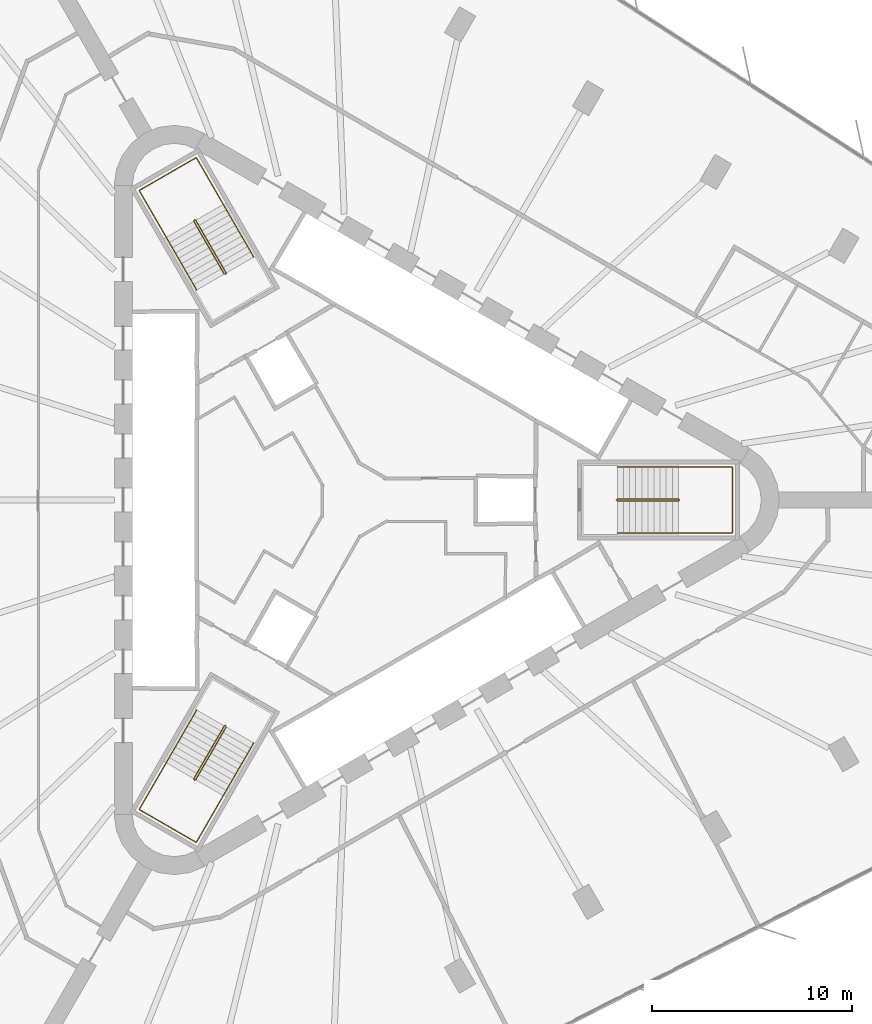
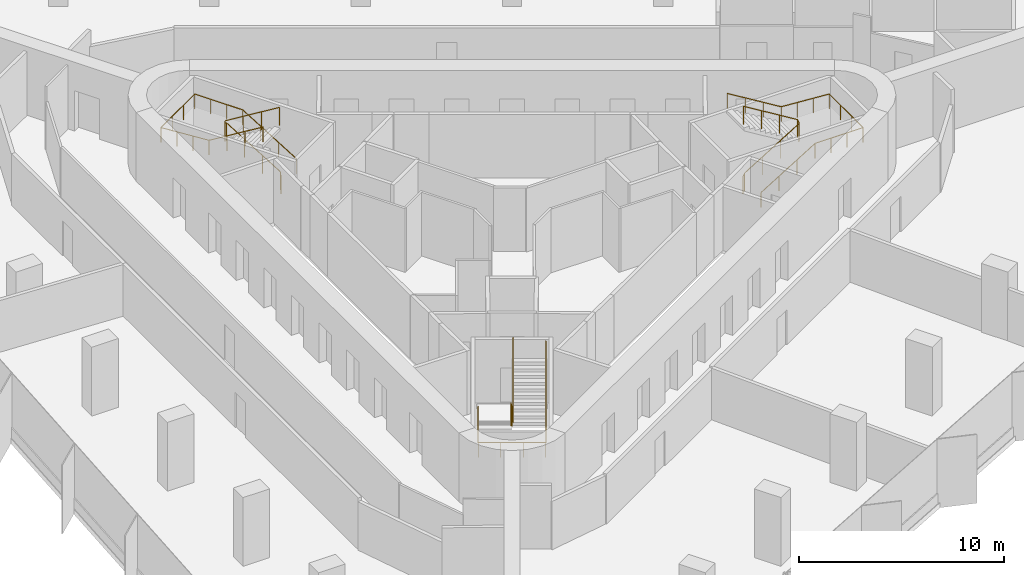
# One storey, part 14 of 14: 6 railings.
"""IFC4 building model written with IfcOpenShell, lengths in metres."""

from ifc_helpers import new_model, si_unit, direction, frame, origin, origin_2d, place, context, subcontext, project, spatial, circle, extrude, material, type_object, element, save


model = new_model("IFC4")

# Units and contexts
model_context = context("Model", 3, precision=1e-05, world=origin(), true_north=direction((0.0, 1.0)))
body_context = subcontext(model_context, "Body", "Model", "MODEL_VIEW")
ifc_project = project(units=[si_unit("LENGTHUNIT", "METRE"), si_unit("AREAUNIT", "SQUARE_METRE"), si_unit("VOLUMEUNIT", "CUBIC_METRE"), si_unit("PLANEANGLEUNIT", "RADIAN"), si_unit("MASSUNIT", "GRAM", prefix="KILO")], contexts=[model_context])

# Site, building, storey
site_placement = place(None, origin())
site = spatial("IfcSite", under=ifc_project, at=site_placement, CompositionType="ELEMENT")
building_placement = place(site_placement, origin())
building = spatial("IfcBuilding", under=site, at=building_placement, Name="Tanit Gate Tower", CompositionType="ELEMENT")
storey_placement = place(building_placement, frame((0.0, 0.0, 70.10009765625)))
storey = spatial("IfcBuildingStorey", under=building, at=storey_placement, Name="L13", CompositionType="ELEMENT", Elevation=70.10009765625)

# Railings
ifc_material_1 = material(Name="Stainless steel balustrade", Category="steel")
railing_type_1 = type_object("IfcRailingType", Name="INT-STAIR-GUARD", PredefinedType="GUARDRAIL", material=ifc_material_1)
railing_1_placement = place(storey_placement, frame((13.044921875, 0.0048828125, 0.0)))
element("IfcRailing", 1, at=railing_1_placement, inside=storey, type_object=railing_type_1, Name="L13 S1 stair guard 1", PredefinedType="GUARDRAIL", context=body_context, shape_type="SweptSolid", body=[
    extrude(circle(Radius=0.02392578125, at=origin_2d()), frame((0.0, 0.0, 1.076171875), z_axis=(0.0, -1.0, 0.0), x_axis=(1.0, 0.0, 0.0)), (0.0, 0.0, 1.0), 0.009765625),
    extrude(circle(Radius=0.02392578125, at=origin_2d()), frame((0.0, -0.009765625, 1.076171875), z_axis=(0.251157038772, -0.251157038772, 0.934794246747), x_axis=(0.707106781187, 0.707106781187, 0.0)), (0.0, 0.0, 1.0), 0.19921875),
    extrude(circle(Radius=0.02392578125, at=origin_2d()), frame((0.050048828125, -0.059814453125, 1.26220703125), z_axis=(0.853405036568, 0.0, 0.521248351134), x_axis=(0.0, 1.0, 0.0)), (0.0, 0.0, 1.0), 3.5751953125),
    extrude(circle(Radius=0.02392578125, at=origin_2d()), frame((3.10107421875, -0.059814453125, 3.1259765625), z_axis=(0.707106781187, 0.707106781187, 0.0), x_axis=(-0.707106781187, 0.707106781187, 0.0)), (0.0, 0.0, 1.0), 0.07080078125),
    extrude(circle(Radius=0.02392578125, at=origin_2d()), frame((3.151123046875, -0.009765625, 3.1259765625), z_axis=(0.0, 1.0, 0.0), x_axis=(-1.0, 0.0, 0.0)), (0.0, 0.0, 1.0), 0.009765625),
    extrude(circle(Radius=0.02392578125, at=origin_2d()), frame((3.151123046875, 0.0, 3.1259765625), z_axis=(-0.250869701741, 0.250869701741, 0.934948546978), x_axis=(-0.707106781187, -0.707106781187, 0.0)), (0.0, 0.0, 1.0), 0.199462890625),
    extrude(circle(Radius=0.02392578125, at=origin_2d()), frame((3.10107421875, 0.050048828125, 3.3125), z_axis=(-0.853405036568, 0.0, 0.521248351134), x_axis=(0.0, -1.0, 0.0)), (0.0, 0.0, 1.0), 3.5751953125),
    extrude(circle(Radius=0.02099609375, at=origin_2d()), origin(), (0.0, 0.0, 1.0), 1.052001953125),
    extrude(circle(Radius=0.02099609375, at=origin_2d()), frame((0.0, -0.009765625, 0.0)), (0.0, 0.0, 1.0), 1.052001953125),
    extrude(circle(Radius=0.02099609375, at=origin_2d()), frame((0.050048828125, -0.059814453125, 0.186279296875)), (0.0, 0.0, 1.0), 1.052001953125),
    extrude(circle(Radius=0.02099609375, at=origin_2d()), frame((1.067138671875, -0.059814453125, 0.807373046875)), (0.0, 0.0, 1.0), 1.052001953125),
    extrude(circle(Radius=0.02099609375, at=origin_2d()), frame((2.083984375, -0.059814453125, 1.4287109375)), (0.0, 0.0, 1.0), 1.052001953125),
    extrude(circle(Radius=0.02099609375, at=origin_2d()), frame((3.10107421875, -0.059814453125, 2.0498046875)), (0.0, 0.0, 1.0), 1.052001953125),
    extrude(circle(Radius=0.02099609375, at=origin_2d()), frame((3.151123046875, -0.009765625, 2.0498046875)), (0.0, 0.0, 1.0), 1.052001953125),
    extrude(circle(Radius=0.02099609375, at=origin_2d()), frame((3.151123046875, 0.0, 2.0498046875)), (0.0, 0.0, 1.0), 1.052001953125),
    extrude(circle(Radius=0.02099609375, at=origin_2d()), frame((3.10107421875, 0.050048828125, 2.236328125)), (0.0, 0.0, 1.0), 1.052001953125),
    extrude(circle(Radius=0.02099609375, at=origin_2d()), frame((2.083984375, 0.050048828125, 2.857421875)), (0.0, 0.0, 1.0), 1.052001953125),
    extrude(circle(Radius=0.02099609375, at=origin_2d()), frame((1.067138671875, 0.050048828125, 3.478759765625)), (0.0, 0.0, 1.0), 1.052001953125),
    extrude(circle(Radius=0.02099609375, at=origin_2d()), frame((0.050048828125, 0.050048828125, 4.099853515625)), (0.0, 0.0, 1.0), 1.052001953125),
])
railing_2_placement = place(storey_placement, frame((-6.527099609375, 11.29345703125, 0.0)))
element("IfcRailing", 2, at=railing_2_placement, inside=storey, type_object=railing_type_1, Name="L13 S2 stair guard 1", PredefinedType="GUARDRAIL", context=body_context, shape_type="SweptSolid", body=[
    extrude(circle(Radius=0.02392578125, at=origin_2d()), frame((0.0, 0.0, 1.076171875), z_axis=(0.868243142124, 0.496138938357, 0.0), x_axis=(-0.496138938357, 0.868243142124, 0.0)), (0.0, 0.0, 1.0), 0.01171875),
    extrude(circle(Radius=0.02392578125, at=origin_2d()), frame((0.01025390625, 0.005859375, 1.076171875), z_axis=(0.091888445584, 0.343050196848, 0.93481178641), x_axis=(-0.965948051503, 0.258736085224, 0.0)), (0.0, 0.0, 1.0), 0.19921875),
    extrude(circle(Radius=0.02392578125, at=origin_2d()), frame((0.028564453125, 0.07421875, 1.26220703125), z_axis=(-0.426651696395, 0.73893750972, 0.521478366466), x_axis=(-0.866012246495, -0.500022788402, 0.0)), (0.0, 0.0, 1.0), 3.573486328125),
    extrude(circle(Radius=0.02392578125, at=origin_2d()), frame((-1.49609375, 2.71484375, 3.1259765625), z_axis=(-0.965715946433, 0.259601060869, 0.0), x_axis=(-0.259601060869, -0.965715946433, 0.0)), (0.0, 0.0, 1.0), 0.070556640625),
    extrude(circle(Radius=0.02392578125, at=origin_2d()), frame((-1.564208984375, 2.733154296875, 3.1259765625), z_axis=(-0.873197702015, -0.487366159264, 0.0), x_axis=(0.487366159264, -0.873197702015, 0.0)), (0.0, 0.0, 1.0), 0.011962890625),
    extrude(circle(Radius=0.02392578125, at=origin_2d()), frame((-1.57470703125, 2.727294921875, 3.1259765625), z_axis=(-0.09178331637, -0.342657714447, 0.934966049419), x_axis=(0.965948051503, -0.258736085224, 0.0)), (0.0, 0.0, 1.0), 0.199462890625),
    extrude(circle(Radius=0.02392578125, at=origin_2d()), frame((-1.593017578125, 2.658935546875, 3.3125), z_axis=(0.426651696395, -0.73893750972, 0.521478366466), x_axis=(0.866012246495, 0.500022788402, 0.0)), (0.0, 0.0, 1.0), 3.573486328125),
    extrude(circle(Radius=0.02099609375, at=origin_2d()), origin(), (0.0, 0.0, 1.0), 1.052001953125),
    extrude(circle(Radius=0.02099609375, at=origin_2d()), frame((0.01025390625, 0.005859375, 0.0)), (0.0, 0.0, 1.0), 1.052001953125),
    extrude(circle(Radius=0.02099609375, at=origin_2d()), frame((0.028564453125, 0.07421875, 0.186279296875)), (0.0, 0.0, 1.0), 1.052001953125),
    extrude(circle(Radius=0.02099609375, at=origin_2d()), frame((-0.479736328125, 0.954345703125, 0.807373046875)), (0.0, 0.0, 1.0), 1.052001953125),
    extrude(circle(Radius=0.02099609375, at=origin_2d()), frame((-0.98779296875, 1.834716796875, 1.4287109375)), (0.0, 0.0, 1.0), 1.052001953125),
    extrude(circle(Radius=0.02099609375, at=origin_2d()), frame((-1.49609375, 2.71484375, 2.0498046875)), (0.0, 0.0, 1.0), 1.052001953125),
    extrude(circle(Radius=0.02099609375, at=origin_2d()), frame((-1.564208984375, 2.733154296875, 2.0498046875)), (0.0, 0.0, 1.0), 1.052001953125),
    extrude(circle(Radius=0.02099609375, at=origin_2d()), frame((-1.57470703125, 2.727294921875, 2.0498046875)), (0.0, 0.0, 1.0), 1.052001953125),
    extrude(circle(Radius=0.02099609375, at=origin_2d()), frame((-1.593017578125, 2.658935546875, 2.236328125)), (0.0, 0.0, 1.0), 1.052001953125),
    extrude(circle(Radius=0.02099609375, at=origin_2d()), frame((-1.084716796875, 1.77880859375, 2.857421875)), (0.0, 0.0, 1.0), 1.052001953125),
    extrude(circle(Radius=0.02099609375, at=origin_2d()), frame((-0.57666015625, 0.8984375, 3.478759765625)), (0.0, 0.0, 1.0), 1.052001953125),
    extrude(circle(Radius=0.02099609375, at=origin_2d()), frame((-0.068359375, 0.018310546875, 4.099853515625)), (0.0, 0.0, 1.0), 1.052001953125),
])
railing_3_placement = place(storey_placement, frame((-6.51806640625, -11.2998046875, 0.0)))
element("IfcRailing", 3, at=railing_3_placement, inside=storey, type_object=railing_type_1, Name="L13 S3 stair guard 1", PredefinedType="GUARDRAIL", context=body_context, shape_type="SweptSolid", body=[
    extrude(circle(Radius=0.02392578125, at=origin_2d()), frame((0.0, 0.0, 1.076171875), z_axis=(-0.874157276122, 0.485642931179, 0.0), x_axis=(-0.485642931179, -0.874157276122, 0.0)), (0.0, 0.0, 1.0), 0.010009765625),
    extrude(circle(Radius=0.02392578125, at=origin_2d()), frame((-0.0087890625, 0.0048828125, 1.076171875), z_axis=(-0.343088566343, -0.090673406819, 0.934916343285), x_axis=(0.255512919477, -0.966805641264, 0.0)), (0.0, 0.0, 1.0), 0.19921875),
    extrude(circle(Radius=0.02392578125, at=origin_2d()), frame((-0.0771484375, -0.01318359375, 1.26220703125), z_axis=(-0.426668548982, -0.73908990167, 0.521248565042), x_axis=(0.866048339477, -0.499960272111, 0.0)), (0.0, 0.0, 1.0), 3.5751953125),
    extrude(circle(Radius=0.02392578125, at=origin_2d()), frame((-1.6025390625, -2.655517578125, 3.1259765625), z_axis=(0.258736085224, -0.965948051503, 0.0), x_axis=(0.965948051503, 0.258736085224, 0.0)), (0.0, 0.0, 1.0), 0.07080078125),
    extrude(circle(Radius=0.02392578125, at=origin_2d()), frame((-1.584228515625, -2.723876953125, 3.1259765625), z_axis=(0.868243142124, -0.496138938357, 0.0), x_axis=(0.496138938357, 0.868243142124, 0.0)), (0.0, 0.0, 1.0), 0.009765625),
    extrude(circle(Radius=0.02392578125, at=origin_2d()), frame((-1.57568359375, -2.728759765625, 3.1259765625), z_axis=(0.342657714447, 0.09178331637, 0.934966049419), x_axis=(-0.258736085224, 0.965948051503, 0.0)), (0.0, 0.0, 1.0), 0.199462890625),
    extrude(circle(Radius=0.02392578125, at=origin_2d()), frame((-1.50732421875, -2.71044921875, 3.3125), z_axis=(0.426745940485, 0.73903737685, 0.521259683745), x_axis=(-0.865993683553, 0.500054937028, 0.0)), (0.0, 0.0, 1.0), 3.574951171875),
    extrude(circle(Radius=0.02099609375, at=origin_2d()), origin(), (0.0, 0.0, 1.0), 1.052001953125),
    extrude(circle(Radius=0.02099609375, at=origin_2d()), frame((-0.0087890625, 0.0048828125, 0.0)), (0.0, 0.0, 1.0), 1.052001953125),
    extrude(circle(Radius=0.02099609375, at=origin_2d()), frame((-0.0771484375, -0.01318359375, 0.186279296875)), (0.0, 0.0, 1.0), 1.052001953125),
    extrude(circle(Radius=0.02099609375, at=origin_2d()), frame((-0.585693359375, -0.89404296875, 0.807373046875)), (0.0, 0.0, 1.0), 1.052001953125),
    extrude(circle(Radius=0.02099609375, at=origin_2d()), frame((-1.093994140625, -1.774658203125, 1.4287109375)), (0.0, 0.0, 1.0), 1.052001953125),
    extrude(circle(Radius=0.02099609375, at=origin_2d()), frame((-1.6025390625, -2.655517578125, 2.0498046875)), (0.0, 0.0, 1.0), 1.052001953125),
    extrude(circle(Radius=0.02099609375, at=origin_2d()), frame((-1.584228515625, -2.723876953125, 2.0498046875)), (0.0, 0.0, 1.0), 1.052001953125),
    extrude(circle(Radius=0.02099609375, at=origin_2d()), frame((-1.57568359375, -2.728759765625, 2.0498046875)), (0.0, 0.0, 1.0), 1.052001953125),
    extrude(circle(Radius=0.02099609375, at=origin_2d()), frame((-1.50732421875, -2.71044921875, 2.236328125)), (0.0, 0.0, 1.0), 1.052001953125),
    extrude(circle(Radius=0.02099609375, at=origin_2d()), frame((-0.998779296875, -1.829833984375, 2.857421875)), (0.0, 0.0, 1.0), 1.052001953125),
    extrude(circle(Radius=0.02099609375, at=origin_2d()), frame((-0.490234375, -0.948974609375, 3.478759765625)), (0.0, 0.0, 1.0), 1.052001953125),
    extrude(circle(Radius=0.02099609375, at=origin_2d()), frame((0.018310546875, -0.068359375, 4.099853515625)), (0.0, 0.0, 1.0), 1.052001953125),
])
ifc_material_2 = material(Name="Stainless steel handrail", Category="steel")
railing_type_2 = type_object("IfcRailingType", Name="INT-STAIR-HANDRAIL", PredefinedType="HANDRAIL", material=ifc_material_2)
railing_4_placement = place(storey_placement, frame((13.094970703125, -1.64990234375, 0.186279296875)))
element("IfcRailing", 4, at=railing_4_placement, inside=storey, type_object=railing_type_2, Name="L13 S1 stair handrail 1", PredefinedType="HANDRAIL", context=body_context, shape_type="SweptSolid", body=[
    extrude(circle(Radius=0.02392578125, at=origin_2d()), frame((0.0, 0.0, 0.8759765625), z_axis=(0.853405036568, 0.0, 0.521248351134), x_axis=(0.0, 1.0, 0.0)), (0.0, 0.0, 1.0), 3.5751953125),
    extrude(circle(Radius=0.02392578125, at=origin_2d()), frame((3.051025390625, 0.0, 2.7392578125), z_axis=(1.0, 0.0, 0.0), x_axis=(0.0, 1.0, 0.0)), (0.0, 0.0, 1.0), 2.7041015625),
    extrude(circle(Radius=0.02392578125, at=origin_2d()), frame((5.755126953125, 0.0, 2.7392578125), z_axis=(0.0, 1.0, 0.0), x_axis=(-1.0, 0.0, 0.0)), (0.0, 0.0, 1.0), 3.2998046875),
    extrude(circle(Radius=0.02392578125, at=origin_2d()), frame((5.755126953125, 3.2998046875, 2.7392578125), z_axis=(-0.997629475601, 0.0, 0.068814456425), x_axis=(0.0, -1.0, 0.0)), (0.0, 0.0, 1.0), 2.71044921875),
    extrude(circle(Radius=0.02392578125, at=origin_2d()), frame((3.051025390625, 3.2998046875, 2.92578125), z_axis=(-0.853405036568, 0.0, 0.521248351134), x_axis=(0.0, -1.0, 0.0)), (0.0, 0.0, 1.0), 3.5751953125),
    extrude(circle(Radius=0.02099609375, at=origin_2d()), origin(), (0.0, 0.0, 1.0), 0.851806640625),
    extrude(circle(Radius=0.02099609375, at=origin_2d()), frame((1.01708984375, 0.0, 0.62109375)), (0.0, 0.0, 1.0), 0.851806640625),
    extrude(circle(Radius=0.02099609375, at=origin_2d()), frame((2.033935546875, 0.0, 1.242431640625)), (0.0, 0.0, 1.0), 0.851806640625),
    extrude(circle(Radius=0.02099609375, at=origin_2d()), frame((3.051025390625, 0.0, 1.863525390625)), (0.0, 0.0, 1.0), 0.851806640625),
    extrude(circle(Radius=0.02099609375, at=origin_2d()), frame((3.952392578125, 0.0, 1.863525390625)), (0.0, 0.0, 1.0), 0.851806640625),
    extrude(circle(Radius=0.02099609375, at=origin_2d()), frame((4.853759765625, 0.0, 1.863525390625)), (0.0, 0.0, 1.0), 0.851806640625),
    extrude(circle(Radius=0.02099609375, at=origin_2d()), frame((5.755126953125, 0.0, 1.863525390625)), (0.0, 0.0, 1.0), 0.851806640625),
    extrude(circle(Radius=0.02099609375, at=origin_2d()), frame((5.755126953125, 1.099853515625, 1.863525390625)), (0.0, 0.0, 1.0), 0.851806640625),
    extrude(circle(Radius=0.02099609375, at=origin_2d()), frame((5.755126953125, 2.199951171875, 1.863525390625)), (0.0, 0.0, 1.0), 0.851806640625),
    extrude(circle(Radius=0.02099609375, at=origin_2d()), frame((5.755126953125, 3.2998046875, 1.863525390625)), (0.0, 0.0, 1.0), 0.851806640625),
    extrude(circle(Radius=0.02099609375, at=origin_2d()), frame((4.853759765625, 3.2998046875, 1.92578125)), (0.0, 0.0, 1.0), 0.851806640625),
    extrude(circle(Radius=0.02099609375, at=origin_2d()), frame((3.952392578125, 3.2998046875, 1.98779296875)), (0.0, 0.0, 1.0), 0.851806640625),
    extrude(circle(Radius=0.02099609375, at=origin_2d()), frame((3.051025390625, 3.2998046875, 2.050048828125)), (0.0, 0.0, 1.0), 0.851806640625),
    extrude(circle(Radius=0.02099609375, at=origin_2d()), frame((2.033935546875, 3.2998046875, 2.671142578125)), (0.0, 0.0, 1.0), 0.851806640625),
    extrude(circle(Radius=0.02099609375, at=origin_2d()), frame((1.01708984375, 3.2998046875, 3.29248046875)), (0.0, 0.0, 1.0), 0.851806640625),
    extrude(circle(Radius=0.02099609375, at=origin_2d()), frame((0.0, 3.2998046875, 3.91357421875)), (0.0, 0.0, 1.0), 0.851806640625),
])
railing_5_placement = place(storey_placement, frame((-5.1181640625, 12.164794921875, 0.186279296875)))
element("IfcRailing", 5, at=railing_5_placement, inside=storey, type_object=railing_type_2, Name="L13 S2 stair handrail 1", PredefinedType="HANDRAIL", context=body_context, shape_type="SweptSolid", body=[
    extrude(circle(Radius=0.02392578125, at=origin_2d()), frame((0.0, 0.0, 0.8759765625), z_axis=(-0.426595811233, 0.738959047773, 0.521493566166), x_axis=(-0.866046917185, -0.499962735845, 0.0)), (0.0, 0.0, 1.0), 3.573486328125),
    extrude(circle(Radius=0.02392578125, at=origin_2d()), frame((-1.5244140625, 2.640625, 2.7392578125), z_axis=(-0.500019123664, 0.86601436245, 0.0), x_axis=(-0.86601436245, -0.500019123664, 0.0)), (0.0, 0.0, 1.0), 2.70703125),
    extrude(circle(Radius=0.02392578125, at=origin_2d()), frame((-2.8779296875, 4.98486328125, 2.7392578125), z_axis=(-0.866008176907, -0.50002983664, 0.0), x_axis=(0.50002983664, -0.866008176907, 0.0)), (0.0, 0.0, 1.0), 3.300048828125),
    extrude(circle(Radius=0.02392578125, at=origin_2d()), frame((-5.73583984375, 3.334716796875, 2.7392578125), z_axis=(0.498875061953, -0.86394290581, 0.068748294973), x_axis=(0.865991810323, 0.500058181068, 0.0)), (0.0, 0.0, 1.0), 2.713134765625),
    extrude(circle(Radius=0.02392578125, at=origin_2d()), frame((-4.38232421875, 0.99072265625, 2.92578125), z_axis=(0.426630158194, -0.738968522208, 0.521452041232), x_axis=(0.866032263162, 0.499988119021, 0.0)), (0.0, 0.0, 1.0), 3.57373046875),
    extrude(circle(Radius=0.02099609375, at=origin_2d()), origin(), (0.0, 0.0, 1.0), 0.851806640625),
    extrude(circle(Radius=0.02099609375, at=origin_2d()), frame((-0.508056640625, 0.880126953125, 0.62109375)), (0.0, 0.0, 1.0), 0.851806640625),
    extrude(circle(Radius=0.02099609375, at=origin_2d()), frame((-1.016357421875, 1.760498046875, 1.242431640625)), (0.0, 0.0, 1.0), 0.851806640625),
    extrude(circle(Radius=0.02099609375, at=origin_2d()), frame((-1.5244140625, 2.640625, 1.863525390625)), (0.0, 0.0, 1.0), 0.851806640625),
    extrude(circle(Radius=0.02099609375, at=origin_2d()), frame((-1.9755859375, 3.422119140625, 1.863525390625)), (0.0, 0.0, 1.0), 0.851806640625),
    extrude(circle(Radius=0.02099609375, at=origin_2d()), frame((-2.4267578125, 4.203369140625, 1.863525390625)), (0.0, 0.0, 1.0), 0.851806640625),
    extrude(circle(Radius=0.02099609375, at=origin_2d()), frame((-2.8779296875, 4.98486328125, 1.863525390625)), (0.0, 0.0, 1.0), 0.851806640625),
    extrude(circle(Radius=0.02099609375, at=origin_2d()), frame((-3.83056640625, 4.434814453125, 1.863525390625)), (0.0, 0.0, 1.0), 0.851806640625),
    extrude(circle(Radius=0.02099609375, at=origin_2d()), frame((-4.783203125, 3.884765625, 1.863525390625)), (0.0, 0.0, 1.0), 0.851806640625),
    extrude(circle(Radius=0.02099609375, at=origin_2d()), frame((-5.73583984375, 3.334716796875, 1.863525390625)), (0.0, 0.0, 1.0), 0.851806640625),
    extrude(circle(Radius=0.02099609375, at=origin_2d()), frame((-5.28466796875, 2.553466796875, 1.92578125)), (0.0, 0.0, 1.0), 0.851806640625),
    extrude(circle(Radius=0.02099609375, at=origin_2d()), frame((-4.83349609375, 1.77197265625, 1.98779296875)), (0.0, 0.0, 1.0), 0.851806640625),
    extrude(circle(Radius=0.02099609375, at=origin_2d()), frame((-4.38232421875, 0.99072265625, 2.050048828125)), (0.0, 0.0, 1.0), 0.851806640625),
    extrude(circle(Radius=0.02099609375, at=origin_2d()), frame((-3.8740234375, 0.1103515625, 2.671142578125)), (0.0, 0.0, 1.0), 0.851806640625),
    extrude(circle(Radius=0.02099609375, at=origin_2d()), frame((-3.365966796875, -0.769775390625, 3.29248046875)), (0.0, 0.0, 1.0), 0.851806640625),
    extrude(circle(Radius=0.02099609375, at=origin_2d()), frame((-2.857666015625, -1.650146484375, 3.91357421875)), (0.0, 0.0, 1.0), 0.851806640625),
])
railing_6_placement = place(storey_placement, frame((-7.9765625, -10.515625, 0.186279296875)))
element("IfcRailing", 6, at=railing_6_placement, inside=storey, type_object=railing_type_2, Name="L13 S3 stair handrail 1", PredefinedType="HANDRAIL", context=body_context, shape_type="SweptSolid", body=[
    extrude(circle(Radius=0.02392578125, at=origin_2d()), frame((0.0, 0.0, 0.8759765625), z_axis=(-0.426668548982, -0.73908990167, 0.521248565042), x_axis=(0.866048339477, -0.499960272111, 0.0)), (0.0, 0.0, 1.0), 3.5751953125),
    extrude(circle(Radius=0.02392578125, at=origin_2d()), frame((-1.525390625, -2.642333984375, 2.7392578125), z_axis=(-0.50004290449, -0.866000631449, 0.0), x_axis=(0.866000631449, -0.50004290449, 0.0)), (0.0, 0.0, 1.0), 2.703857421875),
    extrude(circle(Radius=0.02392578125, at=origin_2d()), frame((-2.87744140625, -4.98388671875, 2.7392578125), z_axis=(0.866008176907, -0.50002983664, 0.0), x_axis=(0.50002983664, 0.866008176907, 0.0)), (0.0, 0.0, 1.0), 3.300048828125),
    extrude(circle(Radius=0.02392578125, at=origin_2d()), frame((-0.01953125, -6.634033203125, 2.7392578125), z_axis=(0.498818517556, 0.863970245648, 0.068814977864), x_axis=(-0.866023205937, 0.500003806764, 0.0)), (0.0, 0.0, 1.0), 2.71044921875),
    extrude(circle(Radius=0.02392578125, at=origin_2d()), frame((1.33251953125, -4.292236328125, 2.92578125), z_axis=(0.426668548982, 0.73908990167, 0.521248565042), x_axis=(-0.866048339477, 0.499960272111, 0.0)), (0.0, 0.0, 1.0), 3.5751953125),
    extrude(circle(Radius=0.02099609375, at=origin_2d()), origin(), (0.0, 0.0, 1.0), 0.851806640625),
    extrude(circle(Radius=0.02099609375, at=origin_2d()), frame((-0.508544921875, -0.880859375, 0.62109375)), (0.0, 0.0, 1.0), 0.851806640625),
    extrude(circle(Radius=0.02099609375, at=origin_2d()), frame((-1.016845703125, -1.761474609375, 1.242431640625)), (0.0, 0.0, 1.0), 0.851806640625),
    extrude(circle(Radius=0.02099609375, at=origin_2d()), frame((-1.525390625, -2.642333984375, 1.863525390625)), (0.0, 0.0, 1.0), 0.851806640625),
    extrude(circle(Radius=0.02099609375, at=origin_2d()), frame((-1.97607421875, -3.4228515625, 1.863525390625)), (0.0, 0.0, 1.0), 0.851806640625),
    extrude(circle(Radius=0.02099609375, at=origin_2d()), frame((-2.4267578125, -4.203369140625, 1.863525390625)), (0.0, 0.0, 1.0), 0.851806640625),
    extrude(circle(Radius=0.02099609375, at=origin_2d()), frame((-2.87744140625, -4.98388671875, 1.863525390625)), (0.0, 0.0, 1.0), 0.851806640625),
    extrude(circle(Radius=0.02099609375, at=origin_2d()), frame((-1.9248046875, -5.533935546875, 1.863525390625)), (0.0, 0.0, 1.0), 0.851806640625),
    extrude(circle(Radius=0.02099609375, at=origin_2d()), frame((-0.97216796875, -6.083984375, 1.863525390625)), (0.0, 0.0, 1.0), 0.851806640625),
    extrude(circle(Radius=0.02099609375, at=origin_2d()), frame((-0.01953125, -6.634033203125, 1.863525390625)), (0.0, 0.0, 1.0), 0.851806640625),
    extrude(circle(Radius=0.02099609375, at=origin_2d()), frame((0.43115234375, -5.853515625, 1.92578125)), (0.0, 0.0, 1.0), 0.851806640625),
    extrude(circle(Radius=0.02099609375, at=origin_2d()), frame((0.8818359375, -5.07275390625, 1.98779296875)), (0.0, 0.0, 1.0), 0.851806640625),
    extrude(circle(Radius=0.02099609375, at=origin_2d()), frame((1.33251953125, -4.292236328125, 2.050048828125)), (0.0, 0.0, 1.0), 0.851806640625),
    extrude(circle(Radius=0.02099609375, at=origin_2d()), frame((1.841064453125, -3.411376953125, 2.671142578125)), (0.0, 0.0, 1.0), 0.851806640625),
    extrude(circle(Radius=0.02099609375, at=origin_2d()), frame((2.349365234375, -2.53076171875, 3.29248046875)), (0.0, 0.0, 1.0), 0.851806640625),
    extrude(circle(Radius=0.02099609375, at=origin_2d()), frame((2.85791015625, -1.64990234375, 3.91357421875)), (0.0, 0.0, 1.0), 0.851806640625),
])

save(model, "model.ifc")
